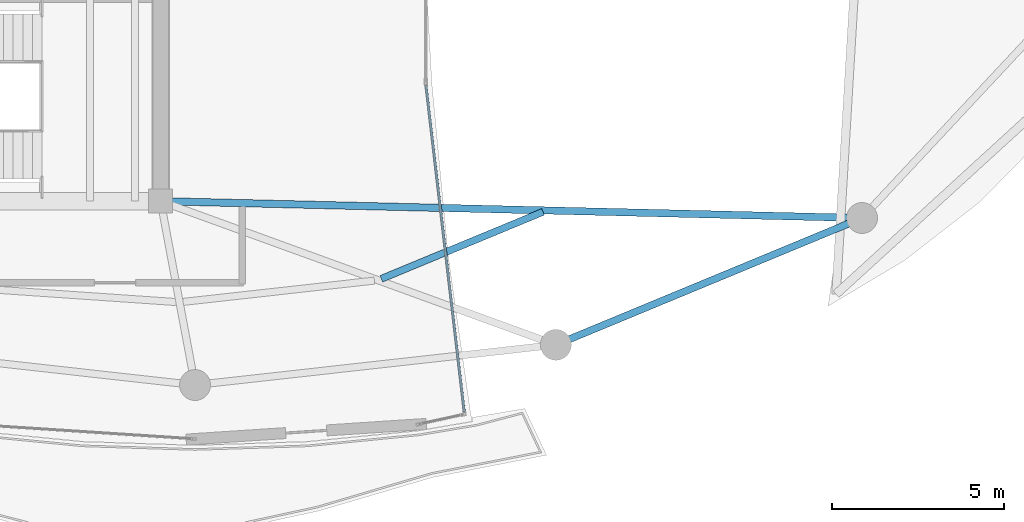
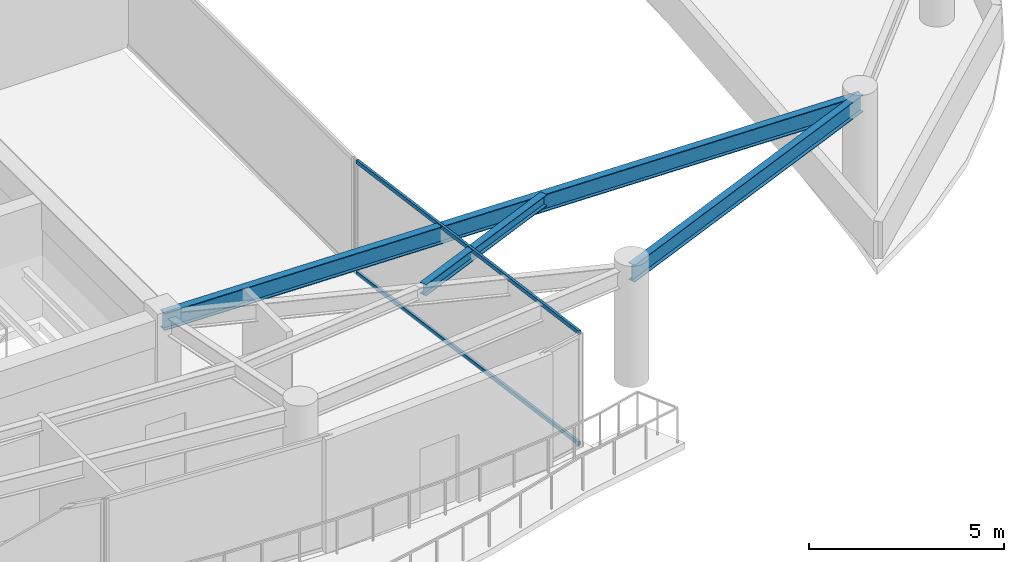
# One storey, part 10 of 22: 3 beams, 2 members, 1 element without a shape of its own.
"""IFC4 building model written with IfcOpenShell, lengths in metres."""

from ifc_helpers import new_model, si_unit, direction, frame, origin, origin_2d, place, context, subcontext, project, spatial, hollow_rectangle, i_section, extrude, material, layer, layer_set, material_profile, profile_set, type_object, element, aggregate, save


model = new_model("IFC4")

# Units and contexts
model_context = context("Model", 3, precision=1e-05, world=origin(), true_north=direction((0.0, 1.0)))
body_context = subcontext(model_context, "Body", "Model", "MODEL_VIEW")
ifc_project = project(units=[si_unit("LENGTHUNIT", "METRE"), si_unit("AREAUNIT", "SQUARE_METRE"), si_unit("VOLUMEUNIT", "CUBIC_METRE"), si_unit("PLANEANGLEUNIT", "RADIAN"), si_unit("MASSUNIT", "GRAM", prefix="KILO")], contexts=[model_context])

# Site, building, storey
site_placement = place(None, origin())
site = spatial("IfcSite", under=ifc_project, at=site_placement, CompositionType="ELEMENT")
building_placement = place(site_placement, origin())
building = spatial("IfcBuilding", under=site, at=building_placement, Name="Kazevale Care Tower and Concert Hall", CompositionType="ELEMENT")
storey_placement = place(building_placement, frame((0.0, 0.0, 273.800048828125)))
storey = spatial("IfcBuildingStorey", under=building, at=storey_placement, Name="L72", CompositionType="ELEMENT", Elevation=273.800048828125)

# Curtain wall, members
ifc_material_1 = material(Name="Aluminium 6063-T6 and Low-E Glass", Category="aluminium")
ifc_layer = layer(ifc_material_1, 0.179931640625)
ifc_layer_set = layer_set([ifc_layer], Name="Aluminium 6063-T6 and Low-E Glass")
curtain_wall_type = type_object("IfcCurtainWallType", Name="Sheltered Concave Balcony Curtain Wall CW-5", PredefinedType="NOTDEFINED", material=ifc_layer_set)
curtain_wall_placement = place(storey_placement, origin())
curtain_wall = element("IfcCurtainWall", 1, at=curtain_wall_placement, inside=storey, type_object=curtain_wall_type, Name="cw:L72:f15", PredefinedType="NOTDEFINED")
ifc_material_2 = material(Name="Aluminium 6063-T6", Category="aluminium")
ifc_material_profile_1 = material_profile(ifc_material_2, hollow_rectangle(XDim=0.074951171875, YDim=0.1201171875, WallThickness=0.00390625, at=origin_2d()), Name="ALU75x120x4")
ifc_profile_set_1 = profile_set([ifc_material_profile_1], Name="Aluminium 6063-T6")
member_type = type_object("IfcMemberType", Name="CW-5 Transom ALU75x120x4", PredefinedType="USERDEFINED", material=ifc_profile_set_1)
member_1_placement = place(storey_placement, frame((51.720703125, 26.967529296875, 0.037353515625), z_axis=(0.116501858152, -0.993190473699, 0.0), x_axis=(0.993190473699, 0.116501858152, 0.0)))
member_1 = element("IfcMember", 2, at=member_1_placement, type_object=member_type, Name="CW-5 transom 1.1", ObjectType="TRANSOM", PredefinedType="USERDEFINED", context=body_context, shape_type="SweptSolid", body=[
    extrude(hollow_rectangle(XDim=0.074951171875, YDim=0.1201171875, WallThickness=0.00390625, at=origin_2d()), origin(), (0.0, 0.0, 1.0), 9.55810546875),
])
member_2_placement = place(storey_placement, frame((51.720703125, 26.967529296875, 3.5224609375), z_axis=(0.116501858152, -0.993190473699, 0.0), x_axis=(0.993190473699, 0.116501858152, 0.0)))
member_2 = element("IfcMember", 3, at=member_2_placement, type_object=member_type, Name="CW-5 transom 1.2", ObjectType="TRANSOM", PredefinedType="USERDEFINED", context=body_context, shape_type="SweptSolid", body=[
    extrude(hollow_rectangle(XDim=0.074951171875, YDim=0.1201171875, WallThickness=0.00390625, at=origin_2d()), origin(), (0.0, 0.0, 1.0), 9.55810546875),
])
aggregate(curtain_wall, [member_1, member_2])

# Beams
ifc_material_3 = material(Name="Steel ASTM A572 Gr 50", Category="steel")
ifc_material_profile_2 = material_profile(ifc_material_3, i_section(OverallWidth=0.2119140625, OverallDepth=0.5439453125, WebThickness=0.01318359375, FlangeThickness=0.021240234375, at=origin_2d()), Name="W530x123")
ifc_profile_set_2 = profile_set([ifc_material_profile_2], Name="Steel ASTM A572 Gr 50")
beam_type_1 = type_object("IfcBeamType", Name="Radial Floor Girder W530x123", PredefinedType="BEAM", material=ifc_profile_set_2)
beam_1_placement = place(storey_placement, frame((44.0, 23.60009765625, 3.287841796875), z_axis=(0.999711945342, -0.024000548742, 0.0), x_axis=(0.024000548742, 0.999711945342, 0.0)))
element("IfcBeam", 4, at=beam_1_placement, inside=storey, type_object=beam_type_1, Name="beam:L72:rad:15", PredefinedType="BEAM", context=body_context, shape_type="SweptSolid", body=[
    extrude(i_section(OverallWidth=0.2119140625, OverallDepth=0.5439453125, WebThickness=0.01318359375, FlangeThickness=0.021240234375, at=origin_2d()), origin(), (0.0, 0.0, 1.0), 20.415771484375),
])
ifc_material_profile_3 = material_profile(ifc_material_3, i_section(OverallWidth=0.205078125, OverallDepth=0.35400390625, WebThickness=0.009521484375, FlangeThickness=0.016845703125, at=origin_2d()), Name="W360x79")
ifc_profile_set_3 = profile_set([ifc_material_profile_3], Name="Steel ASTM A572 Gr 50")
beam_type_2 = type_object("IfcBeamType", Name="Secondary Floor Joist W360x79", PredefinedType="JOIST", material=ifc_profile_set_3)
beam_2_placement = place(storey_placement, frame((50.422119140625, 21.341064453125, 3.383056640625), z_axis=(0.92389590915, 0.382643893268, 0.0), x_axis=(-0.382643893268, 0.92389590915, 0.0)))
element("IfcBeam", 5, at=beam_2_placement, inside=storey, type_object=beam_type_2, Name="beam:L72:joist:14", PredefinedType="JOIST", context=body_context, shape_type="SweptSolid", body=[
    extrude(i_section(OverallWidth=0.205078125, OverallDepth=0.35400390625, WebThickness=0.009521484375, FlangeThickness=0.016845703125, at=origin_2d()), origin(), (0.0, 0.0, 1.0), 5.093505859375),
])
ifc_material_profile_4 = material_profile(ifc_material_3, i_section(OverallWidth=0.208984375, OverallDepth=0.532958984375, WebThickness=0.01025390625, FlangeThickness=0.015625, at=origin_2d()), Name="W530x92")
ifc_profile_set_4 = profile_set([ifc_material_profile_4], Name="Steel ASTM A572 Gr 50")
beam_type_3 = type_object("IfcBeamType", Name="Upper Ring Beam W530x92", PredefinedType="BEAM", material=ifc_profile_set_4)
beam_3_placement = place(storey_placement, frame((55.5, 19.419921875, 3.29345703125), z_axis=(0.923894961945, 0.382646180293, 0.0), x_axis=(-0.382646180293, 0.923894961945, 0.0)))
element("IfcBeam", 6, at=beam_3_placement, inside=storey, type_object=beam_type_3, Name="beam:L72:ring:14", PredefinedType="BEAM", context=body_context, shape_type="SweptSolid", body=[
    extrude(i_section(OverallWidth=0.208984375, OverallDepth=0.532958984375, WebThickness=0.01025390625, FlangeThickness=0.015625, at=origin_2d()), origin(), (0.0, 0.0, 1.0), 9.643798828125),
])

save(model, "model.ifc")
